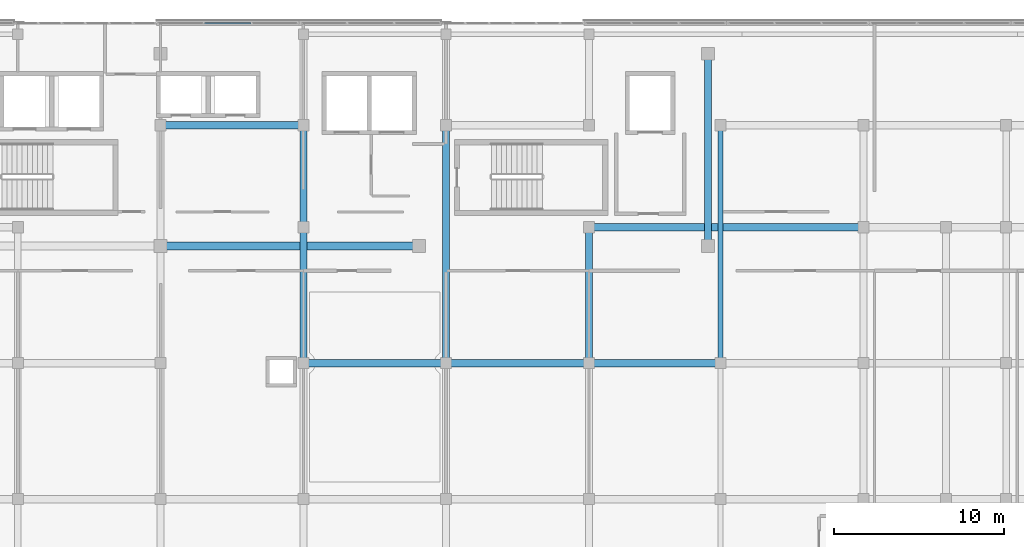
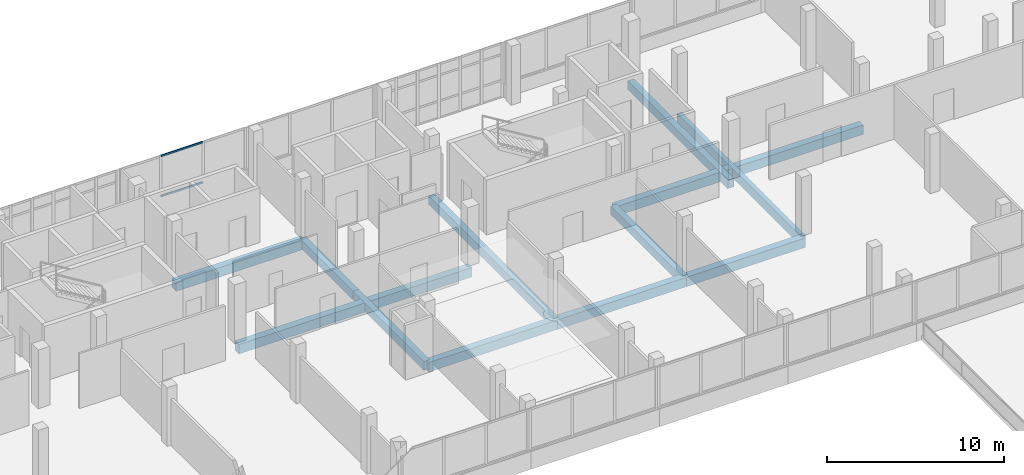
# One storey, part 41 of 76: 12 beams, 2 members, 1 element without a shape of its own.
"""IFC4 building model written with IfcOpenShell, lengths in metres."""

from ifc_helpers import new_model, si_unit, direction, frame, origin, origin_2d, place, context, subcontext, project, spatial, rectangle, hollow_rectangle, extrude, material, material_profile, profile_set, type_object, element, aggregate, save


model = new_model("IFC4")

# Units and contexts
model_context = context("Model", 3, precision=1e-05, world=origin(), true_north=direction((0.0, 1.0)))
body_context = subcontext(model_context, "Body", "Model", "MODEL_VIEW")
ifc_project = project(units=[si_unit("LENGTHUNIT", "METRE"), si_unit("AREAUNIT", "SQUARE_METRE"), si_unit("VOLUMEUNIT", "CUBIC_METRE"), si_unit("PLANEANGLEUNIT", "RADIAN"), si_unit("MASSUNIT", "GRAM", prefix="KILO")], contexts=[model_context])

# Site, building, storey
site_placement = place(None, origin())
site = spatial("IfcSite", under=ifc_project, at=site_placement, CompositionType="ELEMENT")
building_placement = place(site_placement, origin())
building = spatial("IfcBuilding", under=site, at=building_placement, Name="Selatvlak General Hospital", CompositionType="ELEMENT")
storey_placement = place(building_placement, frame((0.0, 0.0, 27.300048828125)))
storey = spatial("IfcBuildingStorey", under=building, at=storey_placement, Name="L06", CompositionType="ELEMENT", Elevation=27.300048828125)

# Beams
ifc_material_1 = material(Name="Concrete C40/50", Category="concrete")
ifc_material_profile_1 = material_profile(ifc_material_1, rectangle(XDim=0.449951171875, YDim=0.64990234375, at=origin_2d()), Name="RC-BM 450x650")
ifc_profile_set_1 = profile_set([ifc_material_profile_1], Name="Concrete C40/50")
beam_type_1 = type_object("IfcBeamType", Name="BM-G04", PredefinedType="BEAM", material=ifc_profile_set_1)
for number, where, z_axis, x_axis, name in (
    (1, (123.60009765625, 100.0, -0.60009765625), (1.0, 0.0, 0.0), (0.0, 1.0, 0.0), "Beam BMR-L06-2194"),
    (2, (132.0, 100.0, -0.60009765625), (1.0, 0.0, 0.0), (0.0, 1.0, 0.0), "Beam BMR-L06-2195"),
):
    element("IfcBeam", number, at=place(storey_placement, frame(where, z_axis=z_axis, x_axis=x_axis)), inside=storey, type_object=beam_type_1, Name=name, PredefinedType="BEAM", context=body_context, shape_type="SweptSolid", body=[
        extrude(rectangle(XDim=0.449951171875, YDim=0.64990234375, at=origin_2d()), origin(), (0.0, 0.0, 1.0), 8.39990234375),
    ])
beam_1_placement = place(storey_placement, frame((140.39990234375, 100.0, -0.60009765625), z_axis=(1.0, 0.0, 0.0), x_axis=(0.0, 1.0, 0.0)))
element("IfcBeam", 3, at=beam_1_placement, inside=storey, type_object=beam_type_1, Name="Beam BMR-L06-2196", PredefinedType="BEAM", context=body_context, shape_type="SweptSolid", body=[
    extrude(rectangle(XDim=0.449951171875, YDim=0.64990234375, at=origin_2d()), origin(), (0.0, 0.0, 1.0), 7.75),
])
beam_2_placement = place(storey_placement, frame((115.199951171875, 106.89990234375, -0.60009765625), z_axis=(1.0, 0.0, 0.0), x_axis=(0.0, 1.0, 0.0)))
element("IfcBeam", 4, at=beam_2_placement, inside=storey, type_object=beam_type_1, Name="Beam BMR-L06-2205", PredefinedType="BEAM", context=body_context, shape_type="SweptSolid", body=[
    extrude(rectangle(XDim=0.449951171875, YDim=0.64990234375, at=origin_2d()), origin(), (0.0, 0.0, 1.0), 15.199951171875),
])
beam_3_placement = place(storey_placement, frame((140.39990234375, 108.0, -0.60009765625), z_axis=(1.0, 0.0, 0.0), x_axis=(0.0, 1.0, 0.0)))
element("IfcBeam", 5, at=beam_3_placement, inside=storey, type_object=beam_type_1, Name="Beam BMR-L06-2213", PredefinedType="BEAM", context=body_context, shape_type="SweptSolid", body=[
    extrude(rectangle(XDim=0.449951171875, YDim=0.64990234375, at=origin_2d()), origin(), (0.0, 0.0, 1.0), 16.150146484375),
])
beam_4_placement = place(storey_placement, frame((115.199951171875, 114.0, -0.60009765625), z_axis=(1.0, 0.0, 0.0), x_axis=(0.0, 1.0, 0.0)))
element("IfcBeam", 6, at=beam_4_placement, inside=storey, type_object=beam_type_1, Name="Beam BMR-L06-2224", PredefinedType="BEAM", context=body_context, shape_type="SweptSolid", body=[
    extrude(rectangle(XDim=0.449951171875, YDim=0.64990234375, at=origin_2d()), origin(), (0.0, 0.0, 1.0), 8.400146484375),
])
ifc_material_profile_2 = material_profile(ifc_material_1, rectangle(XDim=0.39990234375, YDim=0.60009765625, at=origin_2d()), Name="RC-BM 400x600")
ifc_profile_set_2 = profile_set([ifc_material_profile_2], Name="Concrete C40/50")
beam_type_2 = type_object("IfcBeamType", Name="BM-G05", PredefinedType="BEAM", material=ifc_profile_set_2)
beam_5_placement = place(storey_placement, frame((123.60009765625, 100.0, -0.574951171875), z_axis=(0.0, 1.0, 0.0), x_axis=(-1.0, 0.0, 0.0)))
element("IfcBeam", 7, at=beam_5_placement, inside=storey, type_object=beam_type_2, Name="Beam BMR-L06-2302", PredefinedType="BEAM", context=body_context, shape_type="SweptSolid", body=[
    extrude(rectangle(XDim=0.39990234375, YDim=0.60009765625, at=origin_2d()), origin(), (0.0, 0.0, 1.0), 8.0),
])
beam_6_placement = place(storey_placement, frame((123.60009765625, 108.0, -0.574951171875), z_axis=(0.0, 1.0, 0.0), x_axis=(-1.0, 0.0, 0.0)))
element("IfcBeam", 8, at=beam_6_placement, inside=storey, type_object=beam_type_2, Name="Beam BMR-L06-2303", PredefinedType="BEAM", context=body_context, shape_type="SweptSolid", body=[
    extrude(rectangle(XDim=0.39990234375, YDim=0.60009765625, at=origin_2d()), origin(), (0.0, 0.0, 1.0), 6.0),
])
beam_7_placement = place(storey_placement, frame((132.0, 100.0, -0.574951171875), z_axis=(0.0, 1.0, 0.0), x_axis=(-1.0, 0.0, 0.0)))
element("IfcBeam", 9, at=beam_7_placement, inside=storey, type_object=beam_type_2, Name="Beam BMR-L06-2307", PredefinedType="BEAM", context=body_context, shape_type="SweptSolid", body=[
    extrude(rectangle(XDim=0.39990234375, YDim=0.60009765625, at=origin_2d()), origin(), (0.0, 0.0, 1.0), 14.0),
])
beam_8_placement = place(storey_placement, frame((140.39990234375, 100.0, -0.574951171875), z_axis=(0.0, 1.0, 0.0), x_axis=(-1.0, 0.0, 0.0)))
element("IfcBeam", 10, at=beam_8_placement, inside=storey, type_object=beam_type_2, Name="Beam BMR-L06-2311", PredefinedType="BEAM", context=body_context, shape_type="SweptSolid", body=[
    extrude(rectangle(XDim=0.39990234375, YDim=0.60009765625, at=origin_2d()), origin(), (0.0, 0.0, 1.0), 8.0),
])
beam_9_placement = place(storey_placement, frame((147.39990234375, 106.89990234375, -0.574951171875), z_axis=(0.0, 1.0, 0.0), x_axis=(-1.0, 0.0, 0.0)))
element("IfcBeam", 11, at=beam_9_placement, inside=storey, type_object=beam_type_2, Name="Beam BMR-L06-2313", PredefinedType="BEAM", context=body_context, shape_type="SweptSolid", body=[
    extrude(rectangle(XDim=0.39990234375, YDim=0.60009765625, at=origin_2d()), origin(), (0.0, 0.0, 1.0), 11.300048828125),
])
ifc_material_profile_3 = material_profile(ifc_material_1, rectangle(XDim=0.300048828125, YDim=0.64990234375, at=origin_2d()), Name="RC-SP 300x650")
ifc_profile_set_3 = profile_set([ifc_material_profile_3], Name="Concrete C40/50")
beam_type_3 = type_object("IfcBeamType", Name="BM-SP1", PredefinedType="SPANDREL", material=ifc_profile_set_3)
beam_10_placement = place(storey_placement, frame((148.14990234375, 100.0, -0.60009765625), z_axis=(0.0, 1.0, 0.0), x_axis=(-1.0, 0.0, 0.0)))
element("IfcBeam", 12, at=beam_10_placement, inside=storey, type_object=beam_type_3, Name="Beam BMR-L06-2316", PredefinedType="SPANDREL", context=body_context, shape_type="SweptSolid", body=[
    extrude(rectangle(XDim=0.300048828125, YDim=0.64990234375, at=origin_2d()), origin(), (0.0, 0.0, 1.0), 14.0),
])

# Curtain wall, members
ifc_material_2 = material(Name="Solar-control Low-E double glazing", Category="glass")
curtain_wall_type = type_object("IfcCurtainWallType", Name="CW-CW-01", PredefinedType="USERDEFINED", material=ifc_material_2)
curtain_wall_placement = place(storey_placement, origin())
curtain_wall = element("IfcCurtainWall", 13, at=curtain_wall_placement, inside=storey, type_object=curtain_wall_type, Name="Glazed facade curtain wall CW-L06-0609", ObjectType="UNITISED CURTAIN WALL", PredefinedType="USERDEFINED")
ifc_material_3 = material(Name="Dark anodised aluminium mullion", Category="aluminium")
ifc_material_profile_4 = material_profile(ifc_material_3, hollow_rectangle(XDim=0.06494140625, YDim=0.1201171875, WallThickness=0.00390625, at=origin_2d()), Name="AL-TRN 65x120x4")
ifc_profile_set_4 = profile_set([ifc_material_profile_4], Name="Dark anodised aluminium mullion")
member_type = type_object("IfcMemberType", Name="CWT-01", PredefinedType="USERDEFINED", material=ifc_profile_set_4)
member_1_placement = place(storey_placement, frame((117.798583984375, 120.0, 0.972412109375), z_axis=(1.0, 0.0, 0.0), x_axis=(0.0, 1.0, 0.0)))
member_1 = element("IfcMember", 14, at=member_1_placement, type_object=member_type, Name="CW-01 transom 2.1", ObjectType="TRANSOM", PredefinedType="USERDEFINED", context=body_context, shape_type="SweptSolid", body=[
    extrude(hollow_rectangle(XDim=0.06494140625, YDim=0.1201171875, WallThickness=0.00390625, at=origin_2d()), origin(), (0.0, 0.0, 1.0), 2.718017578125),
])
member_2_placement = place(storey_placement, frame((117.798583984375, 120.0, 3.74755859375), z_axis=(1.0, 0.0, 0.0), x_axis=(0.0, 1.0, 0.0)))
member_2 = element("IfcMember", 15, at=member_2_placement, type_object=member_type, Name="CW-01 transom 2.2", ObjectType="TRANSOM", PredefinedType="USERDEFINED", context=body_context, shape_type="SweptSolid", body=[
    extrude(hollow_rectangle(XDim=0.06494140625, YDim=0.1201171875, WallThickness=0.00390625, at=origin_2d()), origin(), (0.0, 0.0, 1.0), 2.718017578125),
])
aggregate(curtain_wall, [member_1, member_2])

save(model, "model.ifc")
